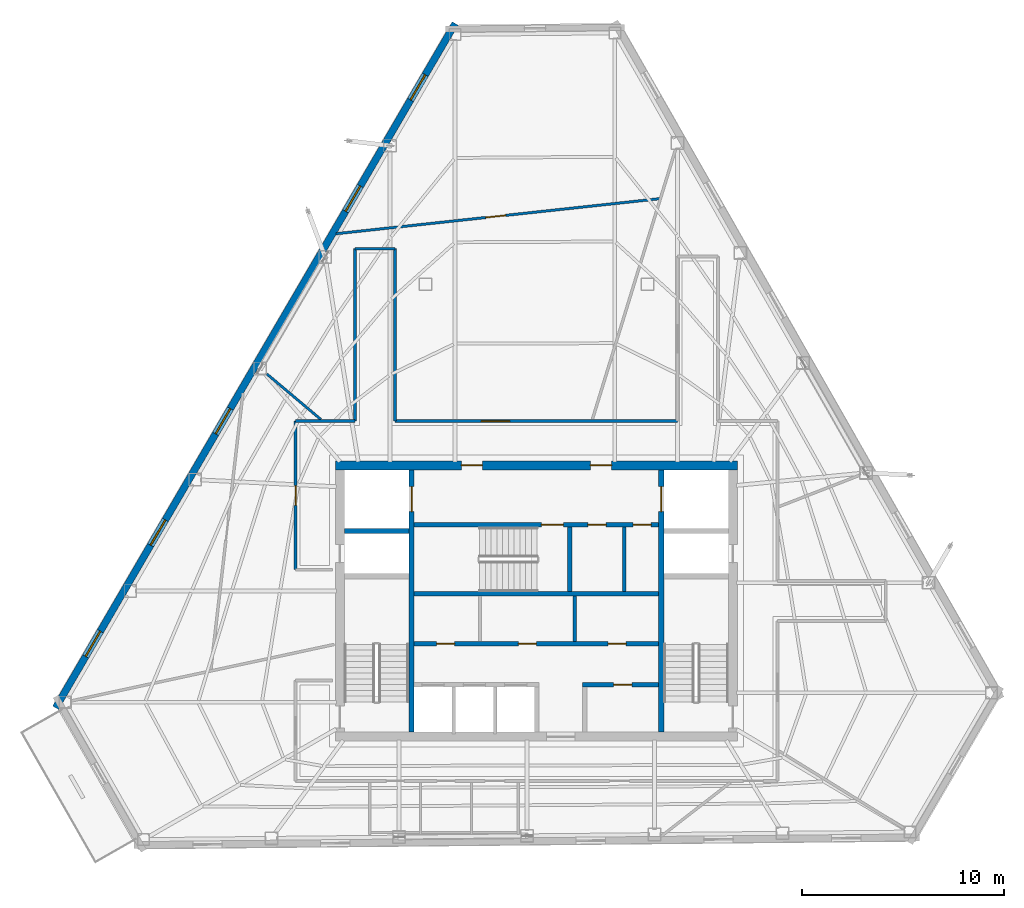
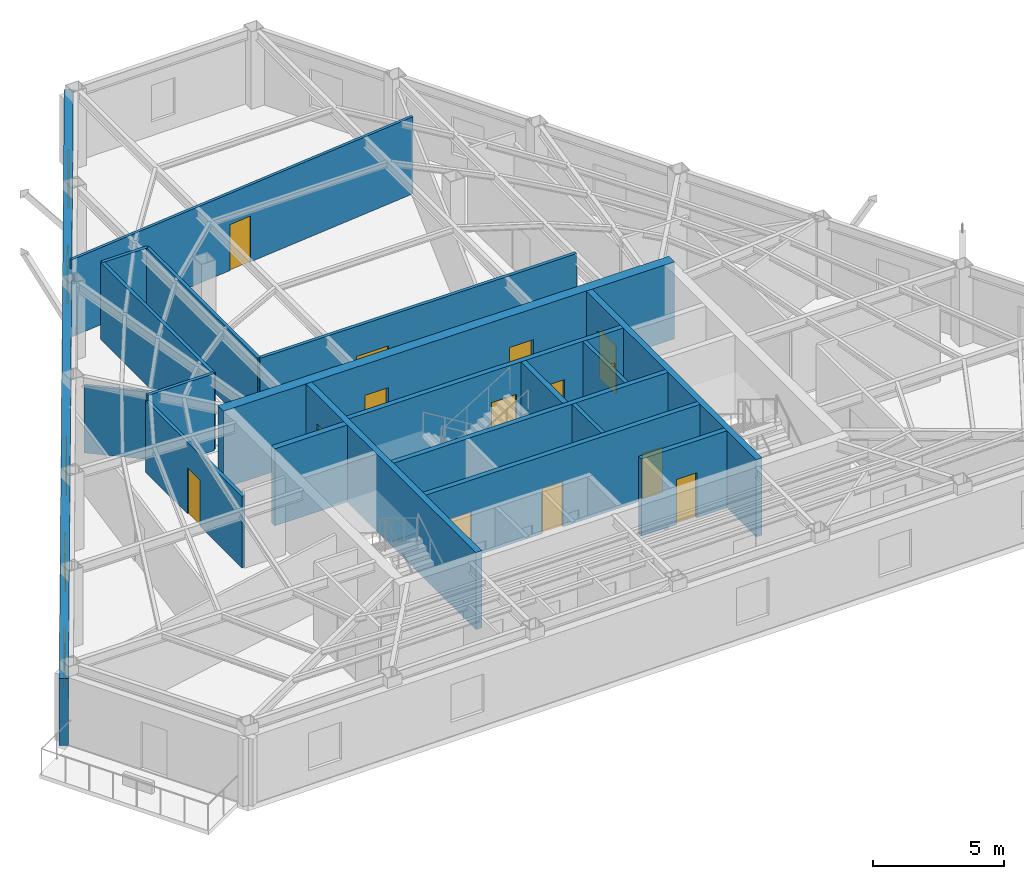
# One storey, part 8 of 11: 20 walls, 14 doors, 5 windows, 19 openings.
"""IFC4 building model written with IfcOpenShell, lengths in metres."""

from ifc_helpers import new_model, si_unit, direction, frame, frame_2d, origin, place, context, subcontext, project, spatial, rectangle, extrude, material, layer, layer_set, type_object, element, fill, save


model = new_model("IFC4")

# Units and contexts
model_context = context("Model", 3, precision=1e-05, world=origin(), true_north=direction((0.0, 1.0)))
body_context = subcontext(model_context, "Body", "Model", "MODEL_VIEW")
ifc_project = project(units=[si_unit("LENGTHUNIT", "METRE"), si_unit("AREAUNIT", "SQUARE_METRE"), si_unit("VOLUMEUNIT", "CUBIC_METRE"), si_unit("PLANEANGLEUNIT", "RADIAN"), si_unit("MASSUNIT", "GRAM", prefix="KILO")], contexts=[model_context])

# Site, building, storey
site_placement = place(None, origin())
site = spatial("IfcSite", under=ifc_project, at=site_placement, CompositionType="ELEMENT")
building_placement = place(site_placement, origin())
building = spatial("IfcBuilding", under=site, at=building_placement, Name="Kavelnor Concourse Tower", CompositionType="ELEMENT")
storey_placement = place(building_placement, frame((0.0, 0.0, 218.89990234375)))
storey = spatial("IfcBuildingStorey", under=building, at=storey_placement, Name="L55", CompositionType="ELEMENT", Elevation=218.89990234375)

# Wall, openings, doors
ifc_material_1 = material(Name="Concrete C50/60", Category="concrete")
ifc_layer_1 = layer(ifc_material_1, 0.43994140625, Name="Concrete C50/60")
ifc_layer_set_1 = layer_set([ifc_layer_1], Name="Concrete C50/60")
wall_type_1 = type_object("IfcWallType", Name="WL-CORE-Z3-440", PredefinedType="SOLIDWALL", material=ifc_layer_set_1)
wall_1_placement = place(storey_placement, frame((28.0400390625, 22.820068359375, 0.0), z_axis=(0.0, 0.0, 1.0), x_axis=(1.0, 0.0, 0.0)))
wall_1 = element("IfcWall", 1, at=wall_1_placement, inside=storey, type_object=wall_type_1, Name="L55 Central Core North Shear Wall", PredefinedType="SOLIDWALL", context=body_context, shape_type="SweptSolid", body=[
    extrude(rectangle(XDim=19.919921875, YDim=0.43994140625, at=frame_2d((9.9599609375, 0.0))), origin(), (0.0, 0.0, 1.0), 3.60009765625),
])
opening_1_placement = place(wall_1_placement, frame((6.235107421875, 0.0, 0.0)))
opening_1 = element("IfcOpeningElement", 2, at=opening_1_placement, cuts=wall_1, Name="Opening FD-105", PredefinedType="OPENING", context=body_context, shape_type="SweptSolid", body=[
    extrude(rectangle(XDim=1.050048828125, YDim=2.14990234375, at=frame_2d((0.52490234375, 1.074951171875))), frame((0.0, 0.22998046875, 0.0), z_axis=(0.0, -1.0, 0.0), x_axis=(1.0, 0.0, 0.0)), (0.0, 0.0, 1.0), 0.4599609375),
])
opening_2_placement = place(wall_1_placement, frame((12.635009765625, 0.0, 0.0)))
opening_2 = element("IfcOpeningElement", 3, at=opening_2_placement, cuts=wall_1, Name="Opening FD-105", PredefinedType="OPENING", context=body_context, shape_type="SweptSolid", body=[
    extrude(rectangle(XDim=1.050048828125, YDim=2.14990234375, at=frame_2d((0.52490234375, 1.074951171875))), frame((0.0, 0.22998046875, 0.0), z_axis=(0.0, -1.0, 0.0), x_axis=(1.0, 0.0, 0.0)), (0.0, 0.0, 1.0), 0.4599609375),
])
ifc_material_2 = material(Name="Steel Grade 350", Category="steel")
door_type_1 = type_object("IfcDoorType", Name="DR-LOBBY-FIRE-1050", OperationType="NOTDEFINED", PredefinedType="DOOR", material=ifc_material_2)
door_1_placement = place(opening_1_placement, origin())
door_1 = element("IfcDoor", 4, at=door_1_placement, inside=storey, type_object=door_type_1, Name="L55 Emergency Lift Lobby West Door", OperationType="SINGLE_SWING_LEFT", OverallHeight=2.14990234375, OverallWidth=1.050048828125, PredefinedType="DOOR", context=body_context, shape_type="SweptSolid", body=[
    extrude(rectangle(XDim=1.050048828125, YDim=2.14990234375, at=frame_2d((0.52490234375, 1.074951171875))), frame((0.0, 0.02490234375, 0.0), z_axis=(0.0, -1.0, 0.0), x_axis=(1.0, 0.0, 0.0)), (0.0, 0.0, 1.0), 0.050048828125),
])
fill(opening_1, door_1)
door_2_placement = place(opening_2_placement, origin())
door_2 = element("IfcDoor", 5, at=door_2_placement, inside=storey, type_object=door_type_1, Name="L55 Emergency Lift Lobby East Door", OperationType="SINGLE_SWING_RIGHT", OverallHeight=2.14990234375, OverallWidth=1.050048828125, PredefinedType="DOOR", context=body_context, shape_type="SweptSolid", body=[
    extrude(rectangle(XDim=1.050048828125, YDim=2.14990234375, at=frame_2d((0.52490234375, 1.074951171875))), frame((0.0, 0.02490234375, 0.0), z_axis=(0.0, -1.0, 0.0), x_axis=(1.0, 0.0, 0.0)), (0.0, 0.0, 1.0), 0.050048828125),
])
fill(opening_2, door_2)

# Wall, openings, windows
ifc_material_3 = material(Name="Red-ochre clay face brick masonry", Category="masonry")
ifc_layer_2 = layer(ifc_material_3, 0.35009765625, Name="Red-ochre clay face brick masonry")
ifc_layer_set_2 = layer_set([ifc_layer_2], Name="Red-ochre clay face brick masonry")
wall_type_2 = type_object("IfcWallType", Name="WL-EXT-RED-BRICK-PIER-350", PredefinedType="STANDARD", material=ifc_layer_set_2)
wall_2_placement = place(storey_placement, frame((14.170654296875, 10.80712890625, 0.0), z_axis=(0.0, 0.0, 1.0), x_axis=(0.504226548845, 0.86357141421, 0.0)))
wall_2 = element("IfcWall", 6, at=wall_2_placement, inside=storey, type_object=wall_type_2, Name="L55 Exterior Brick Facade Wall E1", PredefinedType="STANDARD", context=body_context, shape_type="SweptSolid", body=[
    extrude(rectangle(XDim=39.2763671875, YDim=0.35009765625, at=frame_2d((19.63818359375, 0.0))), origin(), (0.0, 0.0, 1.0), 3.132080078125),
])
opening_3_placement = place(wall_2_placement, frame((34.88525390625, 0.0, 0.64990234375)))
opening_3 = element("IfcOpeningElement", 7, at=opening_3_placement, cuts=wall_2, Name="Opening W-03", PredefinedType="OPENING", context=body_context, shape_type="SweptSolid", body=[
    extrude(rectangle(XDim=1.449951171875, YDim=1.75, at=frame_2d((0.72509765625, 0.875))), frame((0.0, 0.18505859375, 0.0), z_axis=(0.0, -1.0, 0.0), x_axis=(1.0, 0.0, 0.0)), (0.0, 0.0, 1.0), 0.3701171875),
])
opening_4_placement = place(wall_2_placement, frame((28.497314453125, 0.0, 0.64990234375)))
opening_4 = element("IfcOpeningElement", 8, at=opening_4_placement, cuts=wall_2, Name="Opening W-03", PredefinedType="OPENING", context=body_context, shape_type="SweptSolid", body=[
    extrude(rectangle(XDim=1.449951171875, YDim=1.75, at=frame_2d((0.72509765625, 0.875))), frame((0.0, 0.18505859375, 0.0), z_axis=(0.0, -1.0, 0.0), x_axis=(1.0, 0.0, 0.0)), (0.0, 0.0, 1.0), 0.3701171875),
])
opening_5_placement = place(wall_2_placement, frame((15.7216796875, 0.0, 0.64990234375)))
opening_5 = element("IfcOpeningElement", 9, at=opening_5_placement, cuts=wall_2, Name="Opening W-03", PredefinedType="OPENING", context=body_context, shape_type="SweptSolid", body=[
    extrude(rectangle(XDim=1.449951171875, YDim=1.75, at=frame_2d((0.72509765625, 0.875))), frame((0.0, 0.18505859375, 0.0), z_axis=(0.0, -1.0, 0.0), x_axis=(1.0, 0.0, 0.0)), (0.0, 0.0, 1.0), 0.3701171875),
])
opening_6_placement = place(wall_2_placement, frame((9.333740234375, 0.0, 0.64990234375)))
opening_6 = element("IfcOpeningElement", 10, at=opening_6_placement, cuts=wall_2, Name="Opening W-03", PredefinedType="OPENING", context=body_context, shape_type="SweptSolid", body=[
    extrude(rectangle(XDim=1.449951171875, YDim=1.75, at=frame_2d((0.72509765625, 0.875))), frame((0.0, 0.18505859375, 0.0), z_axis=(0.0, -1.0, 0.0), x_axis=(1.0, 0.0, 0.0)), (0.0, 0.0, 1.0), 0.3701171875),
])
opening_7_placement = place(wall_2_placement, frame((2.946044921875, 0.0, 0.64990234375)))
opening_7 = element("IfcOpeningElement", 11, at=opening_7_placement, cuts=wall_2, Name="Opening W-03", PredefinedType="OPENING", context=body_context, shape_type="SweptSolid", body=[
    extrude(rectangle(XDim=1.449951171875, YDim=1.75, at=frame_2d((0.72509765625, 0.875))), frame((0.0, 0.18505859375, 0.0), z_axis=(0.0, -1.0, 0.0), x_axis=(1.0, 0.0, 0.0)), (0.0, 0.0, 1.0), 0.3701171875),
])
ifc_material_4 = material(Name="Double low-E argon insulated glazing", Category="glass")
window_type = type_object("IfcWindowType", Name="WIN-PIER-Z3-1500", PartitioningType="SINGLE_PANEL", PredefinedType="WINDOW", material=ifc_material_4)
window_1_placement = place(opening_3_placement, origin())
window_1 = element("IfcWindow", 12, at=window_1_placement, inside=storey, type_object=window_type, Name="L55 Deep-Set Brick Pier Window F0-B0", OverallHeight=1.75, OverallWidth=1.449951171875, PartitioningType="SINGLE_PANEL", PredefinedType="WINDOW", context=body_context, shape_type="SweptSolid", body=[
    extrude(rectangle(XDim=1.449951171875, YDim=1.75, at=frame_2d((0.72509765625, 0.875))), frame((0.0, 0.030029296875, 0.0), z_axis=(0.0, -1.0, 0.0), x_axis=(1.0, 0.0, 0.0)), (0.0, 0.0, 1.0), 0.06005859375),
])
fill(opening_3, window_1)
window_2_placement = place(opening_4_placement, origin())
window_2 = element("IfcWindow", 13, at=window_2_placement, inside=storey, type_object=window_type, Name="L55 Deep-Set Brick Pier Window F0-B1", OverallHeight=1.75, OverallWidth=1.449951171875, PartitioningType="SINGLE_PANEL", PredefinedType="WINDOW", context=body_context, shape_type="SweptSolid", body=[
    extrude(rectangle(XDim=1.449951171875, YDim=1.75, at=frame_2d((0.72509765625, 0.875))), frame((0.0, 0.030029296875, 0.0), z_axis=(0.0, -1.0, 0.0), x_axis=(1.0, 0.0, 0.0)), (0.0, 0.0, 1.0), 0.06005859375),
])
fill(opening_4, window_2)
window_3_placement = place(opening_5_placement, origin())
window_3 = element("IfcWindow", 14, at=window_3_placement, inside=storey, type_object=window_type, Name="L55 Deep-Set Brick Pier Window F0-B3", OverallHeight=1.75, OverallWidth=1.449951171875, PartitioningType="SINGLE_PANEL", PredefinedType="WINDOW", context=body_context, shape_type="SweptSolid", body=[
    extrude(rectangle(XDim=1.449951171875, YDim=1.75, at=frame_2d((0.72509765625, 0.875))), frame((0.0, 0.030029296875, 0.0), z_axis=(0.0, -1.0, 0.0), x_axis=(1.0, 0.0, 0.0)), (0.0, 0.0, 1.0), 0.06005859375),
])
fill(opening_5, window_3)
window_4_placement = place(opening_6_placement, origin())
window_4 = element("IfcWindow", 15, at=window_4_placement, inside=storey, type_object=window_type, Name="L55 Deep-Set Brick Pier Window F0-B4", OverallHeight=1.75, OverallWidth=1.449951171875, PartitioningType="SINGLE_PANEL", PredefinedType="WINDOW", context=body_context, shape_type="SweptSolid", body=[
    extrude(rectangle(XDim=1.449951171875, YDim=1.75, at=frame_2d((0.72509765625, 0.875))), frame((0.0, 0.030029296875, 0.0), z_axis=(0.0, -1.0, 0.0), x_axis=(1.0, 0.0, 0.0)), (0.0, 0.0, 1.0), 0.06005859375),
])
fill(opening_6, window_4)
window_5_placement = place(opening_7_placement, origin())
window_5 = element("IfcWindow", 16, at=window_5_placement, inside=storey, type_object=window_type, Name="L55 Deep-Set Brick Pier Window F0-B5", OverallHeight=1.75, OverallWidth=1.449951171875, PartitioningType="SINGLE_PANEL", PredefinedType="WINDOW", context=body_context, shape_type="SweptSolid", body=[
    extrude(rectangle(XDim=1.449951171875, YDim=1.75, at=frame_2d((0.72509765625, 0.875))), frame((0.0, 0.030029296875, 0.0), z_axis=(0.0, -1.0, 0.0), x_axis=(1.0, 0.0, 0.0)), (0.0, 0.0, 1.0), 0.06005859375),
])
fill(opening_7, window_5)

# Wall, opening, door
ifc_material_5 = material(Name="Gypsum plasterboard on light-gauge steel studs", Category="steel")
ifc_layer_3 = layer(ifc_material_5, 0.14501953125, Name="Gypsum plasterboard on light-gauge steel studs")
ifc_layer_set_3 = layer_set([ifc_layer_3], Name="Gypsum plasterboard on light-gauge steel studs")
wall_type_3 = type_object("IfcWallType", Name="WL-INT-CORR-145", PredefinedType="PARTITIONING", material=ifc_layer_set_3)
wall_3_placement = place(storey_placement, frame((26.06005859375, 17.64990234375, 0.0), z_axis=(0.0, 0.0, 1.0), x_axis=(0.0, 1.0, 0.0)))
wall_3 = element("IfcWall", 17, at=wall_3_placement, inside=storey, type_object=wall_type_3, Name="L55 Corridor Wall WL-L55-CR-02", PredefinedType="PARTITIONING", context=body_context, shape_type="SweptSolid", body=[
    extrude(rectangle(XDim=7.3701171875, YDim=0.14501953125, at=frame_2d((3.68505859375, 0.0))), origin(), (0.0, 0.0, 1.0), 3.339111328125),
])
opening_8_placement = place(wall_3_placement, frame((3.195068359375, 0.0, 0.0)))
opening_8 = element("IfcOpeningElement", 18, at=opening_8_placement, cuts=wall_3, Name="Opening OD-098", PredefinedType="OPENING", context=body_context, shape_type="SweptSolid", body=[
    extrude(rectangle(XDim=0.97998046875, YDim=2.14990234375, at=frame_2d((0.489990234375, 1.074951171875))), frame((0.0, 0.08251953125, 0.0), z_axis=(0.0, -1.0, 0.0), x_axis=(1.0, 0.0, 0.0)), (0.0, 0.0, 1.0), 0.1650390625),
])
ifc_material_6 = material(Name="Solid-core hardwood timber", Category="wood")
door_type_2 = type_object("IfcDoorType", Name="DR-OFFICE-980", OperationType="NOTDEFINED", PredefinedType="DOOR", material=ifc_material_6)
door_3_placement = place(opening_8_placement, origin())
door_3 = element("IfcDoor", 19, at=door_3_placement, inside=storey, type_object=door_type_2, Name="L55 Tenant Bookstore Retail Shop 04 Door", OperationType="SINGLE_SWING_RIGHT", OverallHeight=2.14990234375, OverallWidth=0.97998046875, PredefinedType="DOOR", context=body_context, shape_type="SweptSolid", body=[
    extrude(rectangle(XDim=0.97998046875, YDim=2.14990234375, at=frame_2d((0.489990234375, 1.074951171875))), frame((0.0, 0.02490234375, 0.0), z_axis=(0.0, -1.0, 0.0), x_axis=(1.0, 0.0, 0.0)), (0.0, 0.0, 1.0), 0.050048828125),
])
fill(opening_8, door_3)

# Walls
wall_4_placement = place(storey_placement, frame((26.06005859375, 25.02001953125, 0.0), z_axis=(0.0, 0.0, 1.0), x_axis=(1.0, 0.0, 0.0)))
element("IfcWall", 20, at=wall_4_placement, inside=storey, type_object=wall_type_3, Name="L55 Corridor Wall WL-L55-CR-03", PredefinedType="PARTITIONING", context=body_context, shape_type="SweptSolid", body=[
    extrude(rectangle(XDim=2.93994140625, YDim=0.14501953125, at=frame_2d((1.469970703125, 0.0))), origin(), (0.0, 0.0, 1.0), 3.60009765625),
])
wall_5_placement = place(storey_placement, frame((29.0, 25.02001953125, 0.0), z_axis=(0.0, 0.0, 1.0), x_axis=(0.0, 1.0, 0.0)))
element("IfcWall", 21, at=wall_5_placement, inside=storey, type_object=wall_type_3, Name="L55 Corridor Wall WL-L55-CR-04", PredefinedType="PARTITIONING", context=body_context, shape_type="SweptSolid", body=[
    extrude(rectangle(XDim=8.54150390625, YDim=0.14501953125, at=frame_2d((4.270751953125, 0.0))), origin(), (0.0, 0.0, 1.0), 3.60009765625),
])
wall_6_placement = place(storey_placement, frame((29.0, 33.5615234375, 0.0), z_axis=(0.0, 0.0, 1.0), x_axis=(1.0, 0.0, 0.0)))
element("IfcWall", 22, at=wall_6_placement, inside=storey, type_object=wall_type_3, Name="L55 Corridor Wall WL-L55-CR-05", PredefinedType="PARTITIONING", context=body_context, shape_type="SweptSolid", body=[
    extrude(rectangle(XDim=2.0, YDim=0.14501953125, at=frame_2d((1.0, 0.0))), origin(), (0.0, 0.0, 1.0), 3.60009765625),
])
wall_7_placement = place(storey_placement, frame((31.0, 33.5615234375, 0.0), z_axis=(0.0, 0.0, 1.0), x_axis=(0.0, -1.0, 0.0)))
element("IfcWall", 23, at=wall_7_placement, inside=storey, type_object=wall_type_3, Name="L55 Corridor Wall WL-L55-CR-06", PredefinedType="PARTITIONING", context=body_context, shape_type="SweptSolid", body=[
    extrude(rectangle(XDim=8.54150390625, YDim=0.14501953125, at=frame_2d((4.270751953125, 0.0))), origin(), (0.0, 0.0, 1.0), 3.60009765625),
])

# Wall, opening, door
wall_8_placement = place(storey_placement, frame((31.0, 25.02001953125, 0.0), z_axis=(0.0, 0.0, 1.0), x_axis=(1.0, 0.0, 0.0)))
wall_8 = element("IfcWall", 24, at=wall_8_placement, inside=storey, type_object=wall_type_3, Name="L55 Corridor Wall WL-L55-CR-07", PredefinedType="PARTITIONING", context=body_context, shape_type="SweptSolid", body=[
    extrude(rectangle(XDim=14.0, YDim=0.14501953125, at=frame_2d((7.0, 0.0))), origin(), (0.0, 0.0, 1.0), 3.60009765625),
])
opening_9_placement = place(wall_8_placement, frame((4.270751953125, 0.0, 0.0)))
opening_9 = element("IfcOpeningElement", 25, at=opening_9_placement, cuts=wall_8, Name="Opening SD-140", PredefinedType="OPENING", context=body_context, shape_type="SweptSolid", body=[
    extrude(rectangle(XDim=1.39990234375, YDim=2.199951171875, at=frame_2d((0.699951171875, 1.10009765625))), frame((0.0, 0.08251953125, 0.0), z_axis=(0.0, -1.0, 0.0), x_axis=(1.0, 0.0, 0.0)), (0.0, 0.0, 1.0), 0.1650390625),
])
door_type_3 = type_object("IfcDoorType", Name="DR-SUITE-ENTRY-1400", OperationType="NOTDEFINED", PredefinedType="DOOR", material=ifc_material_6)
door_4_placement = place(opening_9_placement, origin())
door_4 = element("IfcDoor", 26, at=door_4_placement, inside=storey, type_object=door_type_3, Name="L55 Executive Dining Room 02 Door", OperationType="SINGLE_SWING_RIGHT", OverallHeight=2.199951171875, OverallWidth=1.39990234375, PredefinedType="DOOR", context=body_context, shape_type="SweptSolid", body=[
    extrude(rectangle(XDim=1.39990234375, YDim=2.199951171875, at=frame_2d((0.699951171875, 1.10009765625))), frame((0.0, 0.02490234375, 0.0), z_axis=(0.0, -1.0, 0.0), x_axis=(1.0, 0.0, 0.0)), (0.0, 0.0, 1.0), 0.050048828125),
])
fill(opening_9, door_4)

# Walls
ifc_layer_4 = layer(ifc_material_5, 0.1650390625, Name="Gypsum plasterboard on light-gauge steel studs")
ifc_layer_set_4 = layer_set([ifc_layer_4], Name="Gypsum plasterboard on light-gauge steel studs")
wall_type_4 = type_object("IfcWallType", Name="WL-INT-FIRE-165", PredefinedType="PARTITIONING", material=ifc_layer_set_4)
wall_9_placement = place(storey_placement, frame((39.89990234375, 14.10009765625, 0.0), z_axis=(0.0, 0.0, 1.0), x_axis=(0.0, 1.0, 0.0)))
element("IfcWall", 27, at=wall_9_placement, inside=storey, type_object=wall_type_4, Name="L55 Reclaimed Core Partition B", PredefinedType="PARTITIONING", context=body_context, shape_type="SweptSolid", body=[
    extrude(rectangle(XDim=2.239990234375, YDim=0.1650390625, at=frame_2d((1.1201171875, 0.0))), origin(), (0.0, 0.0, 1.0), 3.60009765625),
])
wall_10_placement = place(storey_placement, frame((42.35009765625, 16.56005859375, 0.0), z_axis=(0.0, 0.0, 1.0), x_axis=(0.0, 1.0, 0.0)))
element("IfcWall", 28, at=wall_10_placement, inside=storey, type_object=wall_type_4, Name="L55 Core Support Asymmetric Divider", PredefinedType="PARTITIONING", context=body_context, shape_type="SweptSolid", body=[
    extrude(rectangle(XDim=3.199951171875, YDim=0.1650390625, at=frame_2d((1.60009765625, 0.0))), origin(), (0.0, 0.0, 1.0), 3.60009765625),
])
ifc_layer_5 = layer(ifc_material_5, 0.125, Name="Gypsum plasterboard on light-gauge steel studs")
ifc_layer_set_5 = layer_set([ifc_layer_5], Name="Gypsum plasterboard on light-gauge steel studs")
wall_type_5 = type_object("IfcWallType", Name="WL-INT-SUITE-125", PredefinedType="PARTITIONING", material=ifc_layer_set_5)
wall_11_placement = place(storey_placement, frame((27.31298828125, 25.1005859375, 0.0), z_axis=(0.0, 0.0, 1.0), x_axis=(-0.764913006453, 0.644133598378, 0.0)))
element("IfcWall", 29, at=wall_11_placement, inside=storey, type_object=wall_type_5, Name="L55 Radial Suite Partition 03", PredefinedType="PARTITIONING", context=body_context, shape_type="SweptSolid", body=[
    extrude(rectangle(XDim=3.5009765625, YDim=0.125, at=frame_2d((1.75048828125, 0.0))), origin(), (0.0, 0.0, 1.0), 3.14111328125),
])

# Wall, opening, door
wall_12_placement = place(storey_placement, frame((44.12939453125, 36.04345703125, 0.0), z_axis=(0.0, 0.0, 1.0), x_axis=(-0.994189362545, -0.107645303672, 0.0)))
wall_12 = element("IfcWall", 30, at=wall_12_placement, inside=storey, type_object=wall_type_5, Name="L55 Suite Subdivision Partition 02", PredefinedType="PARTITIONING", context=body_context, shape_type="SweptSolid", body=[
    extrude(rectangle(XDim=16.15966796875, YDim=0.125, at=frame_2d((8.079833984375, 0.0))), origin(), (0.0, 0.0, 1.0), 3.60009765625),
])
opening_10_placement = place(wall_12_placement, frame((7.70263671875, 0.0, 0.0)))
opening_10 = element("IfcOpeningElement", 31, at=opening_10_placement, cuts=wall_12, Name="Opening OD-098", PredefinedType="OPENING", context=body_context, shape_type="SweptSolid", body=[
    extrude(rectangle(XDim=0.97998046875, YDim=2.14990234375, at=frame_2d((0.489990234375, 1.074951171875))), frame((0.0, 0.072509765625, 0.0), z_axis=(0.0, -1.0, 0.0), x_axis=(1.0, 0.0, 0.0)), (0.0, 0.0, 1.0), 0.14501953125),
])
door_5_placement = place(opening_10_placement, origin())
door_5 = element("IfcDoor", 32, at=door_5_placement, inside=storey, type_object=door_type_2, Name="L55 Staff Breakout Pantry 03 Door", OperationType="SINGLE_SWING_LEFT", OverallHeight=2.14990234375, OverallWidth=0.97998046875, PredefinedType="DOOR", context=body_context, shape_type="SweptSolid", body=[
    extrude(rectangle(XDim=0.97998046875, YDim=2.14990234375, at=frame_2d((0.489990234375, 1.074951171875))), frame((0.0, 0.02490234375, 0.0), z_axis=(0.0, -1.0, 0.0), x_axis=(1.0, 0.0, 0.0)), (0.0, 0.0, 1.0), 0.050048828125),
])
fill(opening_10, door_5)

# Wall, openings, doors
ifc_layer_6 = layer(ifc_material_1, 0.219970703125, Name="Concrete C50/60")
ifc_layer_set_6 = layer_set([ifc_layer_6], Name="Concrete C50/60")
wall_type_6 = type_object("IfcWallType", Name="WL-SHAFT-220", PredefinedType="SOLIDWALL", material=ifc_layer_set_6)
wall_13_placement = place(storey_placement, frame((31.93994140625, 19.8701171875, 0.0), z_axis=(0.0, 0.0, 1.0), x_axis=(1.0, 0.0, 0.0)))
wall_13 = element("IfcWall", 33, at=wall_13_placement, inside=storey, type_object=wall_type_6, Name="L55 Emergency Lift Lobby South Wall", PredefinedType="SOLIDWALL", context=body_context, shape_type="SweptSolid", body=[
    extrude(rectangle(XDim=12.1201171875, YDim=0.219970703125, at=frame_2d((6.06005859375, 0.0))), origin(), (0.0, 0.0, 1.0), 3.60009765625),
])
opening_11_placement = place(wall_13_placement, frame((6.300048828125, 0.0, 0.0)))
opening_11 = element("IfcOpeningElement", 34, at=opening_11_placement, cuts=wall_13, Name="Opening FD-110", PredefinedType="OPENING", context=body_context, shape_type="SweptSolid", body=[
    extrude(rectangle(XDim=1.10009765625, YDim=2.14990234375, at=frame_2d((0.550048828125, 1.074951171875))), frame((0.0, 0.1201171875, 0.0), z_axis=(0.0, -1.0, 0.0), x_axis=(1.0, 0.0, 0.0)), (0.0, 0.0, 1.0), 0.239990234375),
])
opening_12_placement = place(wall_13_placement, frame((8.610107421875, 0.0, 0.0)))
opening_12 = element("IfcOpeningElement", 35, at=opening_12_placement, cuts=wall_13, Name="Opening FD-090", PredefinedType="OPENING", context=body_context, shape_type="SweptSolid", body=[
    extrude(rectangle(XDim=0.89990234375, YDim=2.10009765625, at=frame_2d((0.449951171875, 1.050048828125))), frame((0.0, 0.1201171875, 0.0), z_axis=(0.0, -1.0, 0.0), x_axis=(1.0, 0.0, 0.0)), (0.0, 0.0, 1.0), 0.239990234375),
])
opening_13_placement = place(wall_13_placement, frame((10.85009765625, 0.0, 0.0)))
opening_13 = element("IfcOpeningElement", 36, at=opening_13_placement, cuts=wall_13, Name="Opening FD-090", PredefinedType="OPENING", context=body_context, shape_type="SweptSolid", body=[
    extrude(rectangle(XDim=0.89990234375, YDim=2.10009765625, at=frame_2d((0.449951171875, 1.050048828125))), frame((0.0, 0.1201171875, 0.0), z_axis=(0.0, -1.0, 0.0), x_axis=(1.0, 0.0, 0.0)), (0.0, 0.0, 1.0), 0.239990234375),
])
door_type_4 = type_object("IfcDoorType", Name="DR-RISER-FIRE-900", OperationType="NOTDEFINED", PredefinedType="DOOR", material=ifc_material_2)
door_6_placement = place(opening_12_placement, origin())
door_6 = element("IfcDoor", 37, at=door_6_placement, inside=storey, type_object=door_type_4, Name="L55 Electrical Room Door", OperationType="SINGLE_SWING_LEFT", OverallHeight=2.10009765625, OverallWidth=0.89990234375, PredefinedType="DOOR", context=body_context, shape_type="SweptSolid", body=[
    extrude(rectangle(XDim=0.89990234375, YDim=2.10009765625, at=frame_2d((0.449951171875, 1.050048828125))), frame((0.0, 0.02490234375, 0.0), z_axis=(0.0, -1.0, 0.0), x_axis=(1.0, 0.0, 0.0)), (0.0, 0.0, 1.0), 0.050048828125),
])
fill(opening_12, door_6)
door_7_placement = place(opening_13_placement, origin())
door_7 = element("IfcDoor", 38, at=door_7_placement, inside=storey, type_object=door_type_4, Name="L55 Cleaner Store Door", OperationType="SINGLE_SWING_RIGHT", OverallHeight=2.10009765625, OverallWidth=0.89990234375, PredefinedType="DOOR", context=body_context, shape_type="SweptSolid", body=[
    extrude(rectangle(XDim=0.89990234375, YDim=2.10009765625, at=frame_2d((0.449951171875, 1.050048828125))), frame((0.0, 0.02490234375, 0.0), z_axis=(0.0, -1.0, 0.0), x_axis=(1.0, 0.0, 0.0)), (0.0, 0.0, 1.0), 0.050048828125),
])
fill(opening_13, door_7)
door_type_5 = type_object("IfcDoorType", Name="DR-STAIR-FIRE-1100", OperationType="NOTDEFINED", PredefinedType="DOOR", material=ifc_material_2)
door_8_placement = place(opening_11_placement, origin())
door_8 = element("IfcDoor", 39, at=door_8_placement, inside=storey, type_object=door_type_5, Name="L55 Stair ST3 Fire Door", OperationType="SINGLE_SWING_LEFT", OverallHeight=2.14990234375, OverallWidth=1.10009765625, PredefinedType="DOOR", context=body_context, shape_type="SweptSolid", body=[
    extrude(rectangle(XDim=1.10009765625, YDim=2.14990234375, at=frame_2d((0.550048828125, 1.074951171875))), frame((0.0, 0.02490234375, 0.0), z_axis=(0.0, -1.0, 0.0), x_axis=(1.0, 0.0, 0.0)), (0.0, 0.0, 1.0), 0.050048828125),
])
fill(opening_11, door_8)

# Walls
wall_14_placement = place(storey_placement, frame((31.93994140625, 16.449951171875, 0.0), z_axis=(0.0, 0.0, 1.0), x_axis=(1.0, 0.0, 0.0)))
element("IfcWall", 40, at=wall_14_placement, inside=storey, type_object=wall_type_6, Name="L55 Stair ST3 South Core Wall", PredefinedType="SOLIDWALL", context=body_context, shape_type="SweptSolid", body=[
    extrude(rectangle(XDim=12.1201171875, YDim=0.219970703125, at=frame_2d((6.06005859375, 0.0))), origin(), (0.0, 0.0, 1.0), 3.60009765625),
])
wall_15_placement = place(storey_placement, frame((39.64990234375, 16.56005859375, 0.0), z_axis=(0.0, 0.0, 1.0), x_axis=(0.0, 1.0, 0.0)))
element("IfcWall", 41, at=wall_15_placement, inside=storey, type_object=wall_type_6, Name="L55 Stair ST3 East Core Wall", PredefinedType="SOLIDWALL", context=body_context, shape_type="SweptSolid", body=[
    extrude(rectangle(XDim=3.199951171875, YDim=0.219970703125, at=frame_2d((1.60009765625, 0.0))), origin(), (0.0, 0.0, 1.0), 3.60009765625),
])

# Wall, openings, doors
wall_16_placement = place(storey_placement, frame((31.93994140625, 13.989990234375, 0.0), z_axis=(0.0, 0.0, 1.0), x_axis=(1.0, 0.0, 0.0)))
wall_16 = element("IfcWall", 42, at=wall_16_placement, inside=storey, type_object=wall_type_6, Name="L55 North Lift Row Shaft Wall", PredefinedType="SOLIDWALL", context=body_context, shape_type="SweptSolid", body=[
    extrude(rectangle(XDim=12.1201171875, YDim=0.219970703125, at=frame_2d((6.06005859375, 0.0))), origin(), (0.0, 0.0, 1.0), 3.60009765625),
])
opening_14_placement = place(wall_16_placement, frame((1.110107421875, 0.0, 0.0)))
opening_14 = element("IfcOpeningElement", 43, at=opening_14_placement, cuts=wall_16, Name="Opening FD-090", PredefinedType="OPENING", context=body_context, shape_type="SweptSolid", body=[
    extrude(rectangle(XDim=0.89990234375, YDim=2.10009765625, at=frame_2d((0.449951171875, 1.050048828125))), frame((0.0, 0.1201171875, 0.0), z_axis=(0.0, -1.0, 0.0), x_axis=(1.0, 0.0, 0.0)), (0.0, 0.0, 1.0), 0.239990234375),
])
opening_15_placement = place(wall_16_placement, frame((5.159912109375, 0.0, 0.0)))
opening_15 = element("IfcOpeningElement", 44, at=opening_15_placement, cuts=wall_16, Name="Opening FD-090", PredefinedType="OPENING", context=body_context, shape_type="SweptSolid", body=[
    extrude(rectangle(XDim=0.89990234375, YDim=2.10009765625, at=frame_2d((0.449951171875, 1.050048828125))), frame((0.0, 0.1201171875, 0.0), z_axis=(0.0, -1.0, 0.0), x_axis=(1.0, 0.0, 0.0)), (0.0, 0.0, 1.0), 0.239990234375),
])
opening_16_placement = place(wall_16_placement, frame((9.610107421875, 0.0, 0.0)))
opening_16 = element("IfcOpeningElement", 45, at=opening_16_placement, cuts=wall_16, Name="Opening FD-090", PredefinedType="OPENING", context=body_context, shape_type="SweptSolid", body=[
    extrude(rectangle(XDim=0.89990234375, YDim=2.10009765625, at=frame_2d((0.449951171875, 1.050048828125))), frame((0.0, 0.1201171875, 0.0), z_axis=(0.0, -1.0, 0.0), x_axis=(1.0, 0.0, 0.0)), (0.0, 0.0, 1.0), 0.239990234375),
])
door_9_placement = place(opening_14_placement, origin())
door_9 = element("IfcDoor", 46, at=door_9_placement, inside=storey, type_object=door_type_4, Name="L55 Reclaimed Core Door A", OperationType="SINGLE_SWING_RIGHT", OverallHeight=2.10009765625, OverallWidth=0.89990234375, PredefinedType="DOOR", context=body_context, shape_type="SweptSolid", body=[
    extrude(rectangle(XDim=0.89990234375, YDim=2.10009765625, at=frame_2d((0.449951171875, 1.050048828125))), frame((0.0, 0.02490234375, 0.0), z_axis=(0.0, -1.0, 0.0), x_axis=(1.0, 0.0, 0.0)), (0.0, 0.0, 1.0), 0.050048828125),
])
fill(opening_14, door_9)
door_10_placement = place(opening_15_placement, origin())
door_10 = element("IfcDoor", 47, at=door_10_placement, inside=storey, type_object=door_type_4, Name="L55 Reclaimed Core Door B", OperationType="SINGLE_SWING_LEFT", OverallHeight=2.10009765625, OverallWidth=0.89990234375, PredefinedType="DOOR", context=body_context, shape_type="SweptSolid", body=[
    extrude(rectangle(XDim=0.89990234375, YDim=2.10009765625, at=frame_2d((0.449951171875, 1.050048828125))), frame((0.0, 0.02490234375, 0.0), z_axis=(0.0, -1.0, 0.0), x_axis=(1.0, 0.0, 0.0)), (0.0, 0.0, 1.0), 0.050048828125),
])
fill(opening_15, door_10)
door_11_placement = place(opening_16_placement, origin())
door_11 = element("IfcDoor", 48, at=door_11_placement, inside=storey, type_object=door_type_4, Name="L55 Reclaimed Core Door C", OperationType="SINGLE_SWING_RIGHT", OverallHeight=2.10009765625, OverallWidth=0.89990234375, PredefinedType="DOOR", context=body_context, shape_type="SweptSolid", body=[
    extrude(rectangle(XDim=0.89990234375, YDim=2.10009765625, at=frame_2d((0.449951171875, 1.050048828125))), frame((0.0, 0.02490234375, 0.0), z_axis=(0.0, -1.0, 0.0), x_axis=(1.0, 0.0, 0.0)), (0.0, 0.0, 1.0), 0.050048828125),
])
fill(opening_16, door_11)

# Wall, opening, door
wall_17_placement = place(storey_placement, frame((40.280029296875, 11.949951171875, 0.0), z_axis=(0.0, 0.0, 1.0), x_axis=(1.0, 0.0, 0.0)))
wall_17 = element("IfcWall", 49, at=wall_17_placement, inside=storey, type_object=wall_type_6, Name="L55 Core South Support North Wall", PredefinedType="SOLIDWALL", context=body_context, shape_type="SweptSolid", body=[
    extrude(rectangle(XDim=3.780029296875, YDim=0.219970703125, at=frame_2d((1.89013671875, 0.0))), origin(), (0.0, 0.0, 1.0), 3.60009765625),
])
opening_17_placement = place(wall_17_placement, frame((1.550048828125, 0.0, 0.0)))
opening_17 = element("IfcOpeningElement", 50, at=opening_17_placement, cuts=wall_17, Name="Opening FD-090", PredefinedType="OPENING", context=body_context, shape_type="SweptSolid", body=[
    extrude(rectangle(XDim=0.89990234375, YDim=2.10009765625, at=frame_2d((0.449951171875, 1.050048828125))), frame((0.0, 0.1201171875, 0.0), z_axis=(0.0, -1.0, 0.0), x_axis=(1.0, 0.0, 0.0)), (0.0, 0.0, 1.0), 0.239990234375),
])
door_12_placement = place(opening_17_placement, origin())
door_12 = element("IfcDoor", 51, at=door_12_placement, inside=storey, type_object=door_type_4, Name="L55 Core Utility Store Door", OperationType="SINGLE_SWING_LEFT", OverallHeight=2.10009765625, OverallWidth=0.89990234375, PredefinedType="DOOR", context=body_context, shape_type="SweptSolid", body=[
    extrude(rectangle(XDim=0.89990234375, YDim=2.10009765625, at=frame_2d((0.449951171875, 1.050048828125))), frame((0.0, 0.02490234375, 0.0), z_axis=(0.0, -1.0, 0.0), x_axis=(1.0, 0.0, 0.0)), (0.0, 0.0, 1.0), 0.050048828125),
])
fill(opening_17, door_12)

ifc_layer_7 = layer(ifc_material_1, 0.260009765625, Name="Concrete C50/60")
ifc_layer_set_7 = layer_set([ifc_layer_7], Name="Concrete C50/60")
wall_type_7 = type_object("IfcWallType", Name="WL-SHAFT-260", PredefinedType="SHEAR", material=ifc_layer_set_7)
wall_18_placement = place(storey_placement, frame((31.81005859375, 9.60009765625, 0.0), z_axis=(0.0, 0.0, 1.0), x_axis=(0.0, 1.0, 0.0)))
wall_18 = element("IfcWall", 52, at=wall_18_placement, inside=storey, type_object=wall_type_7, Name="L55 Core West Wing Shear Wall", PredefinedType="SHEAR", context=body_context, shape_type="SweptSolid", body=[
    extrude(rectangle(XDim=13.0, YDim=0.260009765625, at=frame_2d((6.5, 0.0))), origin(), (0.0, 0.0, 1.0), 3.60009765625),
])
opening_18_placement = place(wall_18_placement, frame((10.925048828125, 0.0, 0.0)))
opening_18 = element("IfcOpeningElement", 53, at=opening_18_placement, cuts=wall_18, Name="Opening LD-125", PredefinedType="OPENING", context=body_context, shape_type="SweptSolid", body=[
    extrude(rectangle(XDim=1.25, YDim=2.25, at=frame_2d((0.625, 1.125))), frame((0.0, 0.14013671875, 0.0), z_axis=(0.0, -1.0, 0.0), x_axis=(1.0, 0.0, 0.0)), (0.0, 0.0, 1.0), 0.280029296875),
])
door_type_6 = type_object("IfcDoorType", Name="DR-LIFT-SLIDING-1250", OperationType="NOTDEFINED", PredefinedType="DOOR", material=ifc_material_2)
door_13_placement = place(opening_18_placement, origin())
door_13 = element("IfcDoor", 54, at=door_13_placement, inside=storey, type_object=door_type_6, Name="L55 Emergency Lift FL1 Landing Door", OperationType="DOUBLE_DOOR_SLIDING", OverallHeight=2.25, OverallWidth=1.25, PredefinedType="DOOR", context=body_context, shape_type="SweptSolid", body=[
    extrude(rectangle(XDim=1.25, YDim=2.25, at=frame_2d((0.625, 1.125))), frame((0.0, 0.02490234375, 0.0), z_axis=(0.0, -1.0, 0.0), x_axis=(1.0, 0.0, 0.0)), (0.0, 0.0, 1.0), 0.050048828125),
])
fill(opening_18, door_13)

wall_19_placement = place(storey_placement, frame((44.18994140625, 9.60009765625, 0.0), z_axis=(0.0, 0.0, 1.0), x_axis=(0.0, 1.0, 0.0)))
wall_19 = element("IfcWall", 55, at=wall_19_placement, inside=storey, type_object=wall_type_7, Name="L55 Core East Wing Shear Wall", PredefinedType="SHEAR", context=body_context, shape_type="SweptSolid", body=[
    extrude(rectangle(XDim=13.0, YDim=0.260009765625, at=frame_2d((6.5, 0.0))), origin(), (0.0, 0.0, 1.0), 3.60009765625),
])
opening_19_placement = place(wall_19_placement, frame((10.925048828125, 0.0, 0.0)))
opening_19 = element("IfcOpeningElement", 56, at=opening_19_placement, cuts=wall_19, Name="Opening LD-125", PredefinedType="OPENING", context=body_context, shape_type="SweptSolid", body=[
    extrude(rectangle(XDim=1.25, YDim=2.25, at=frame_2d((0.625, 1.125))), frame((0.0, 0.14013671875, 0.0), z_axis=(0.0, -1.0, 0.0), x_axis=(1.0, 0.0, 0.0)), (0.0, 0.0, 1.0), 0.280029296875),
])
door_14_placement = place(opening_19_placement, origin())
door_14 = element("IfcDoor", 57, at=door_14_placement, inside=storey, type_object=door_type_6, Name="L55 Emergency Lift FL2 Landing Door", OperationType="DOUBLE_DOOR_SLIDING", OverallHeight=2.25, OverallWidth=1.25, PredefinedType="DOOR", context=body_context, shape_type="SweptSolid", body=[
    extrude(rectangle(XDim=1.25, YDim=2.25, at=frame_2d((0.625, 1.125))), frame((0.0, 0.02490234375, 0.0), z_axis=(0.0, -1.0, 0.0), x_axis=(1.0, 0.0, 0.0)), (0.0, 0.0, 1.0), 0.050048828125),
])
fill(opening_19, door_14)

# Wall
wall_20_placement = place(storey_placement, frame((28.47998046875, 19.570068359375, 0.0), z_axis=(0.0, 0.0, 1.0), x_axis=(1.0, 0.0, 0.0)))
element("IfcWall", 58, at=wall_20_placement, inside=storey, type_object=wall_type_7, Name="L55 Emergency Lift FL1 South Shaft Wall", PredefinedType="SHEAR", context=body_context, shape_type="SweptSolid", body=[
    extrude(rectangle(XDim=3.199951171875, YDim=0.260009765625, at=frame_2d((1.60009765625, 0.0))), origin(), (0.0, 0.0, 1.0), 3.60009765625),
])

save(model, "model.ifc")
